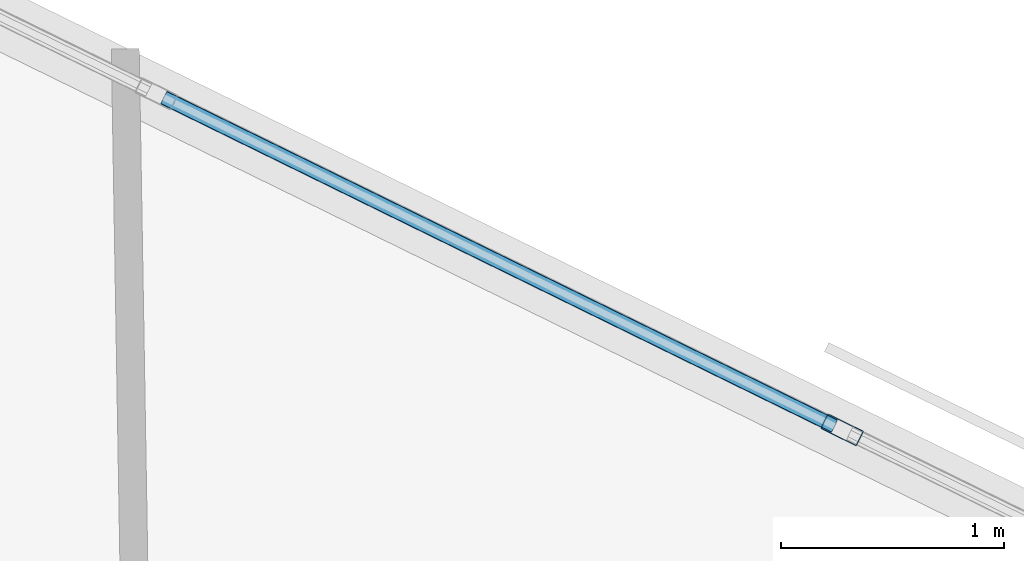
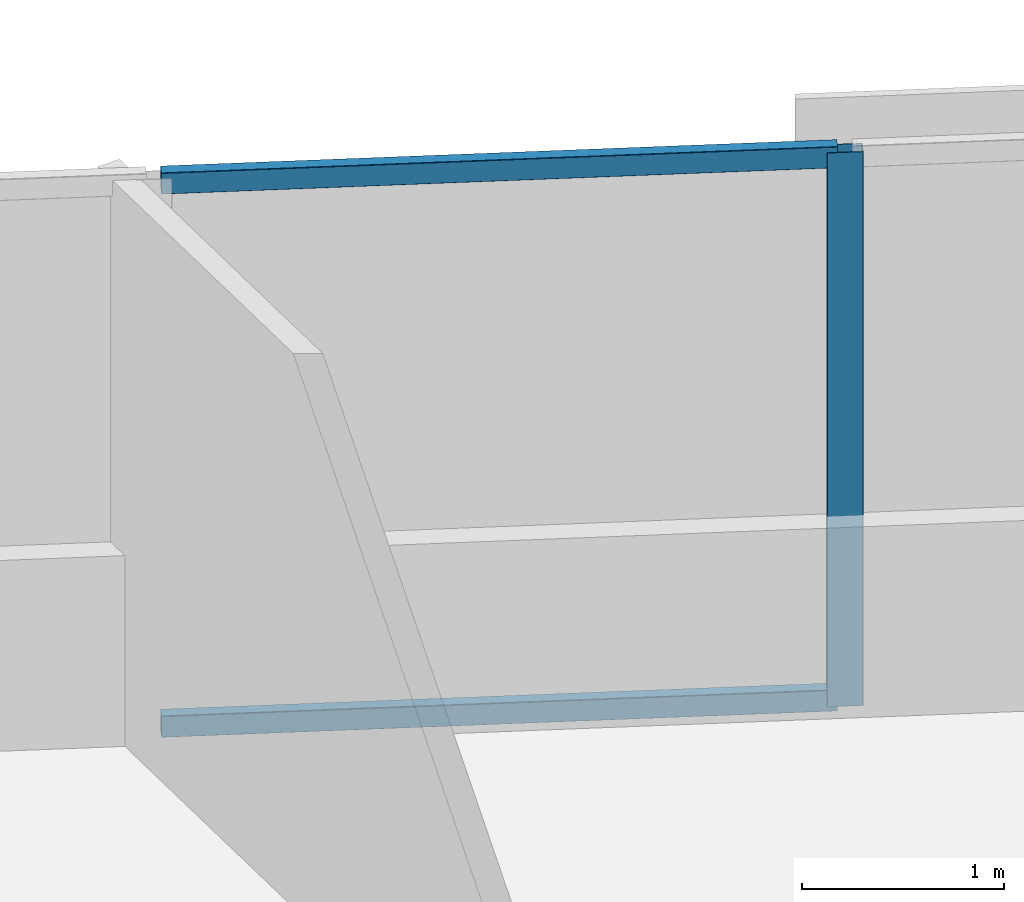
# One storey, part 11 of 18: 3 members, 1 element without a shape of its own.
"""IFC4 building model written with IfcOpenShell, lengths in metres."""

from ifc_helpers import new_model, si_unit, direction, frame, origin, origin_2d, place, context, subcontext, project, spatial, hollow_rectangle, extrude, material, material_profile, profile_set, type_object, element, aggregate, save


model = new_model("IFC4")

# Units and contexts
model_context = context("Model", 3, precision=1e-05, world=origin(), true_north=direction((0.0, 1.0)))
body_context = subcontext(model_context, "Body", "Model", "MODEL_VIEW")
ifc_project = project(units=[si_unit("LENGTHUNIT", "METRE"), si_unit("AREAUNIT", "SQUARE_METRE"), si_unit("VOLUMEUNIT", "CUBIC_METRE"), si_unit("PLANEANGLEUNIT", "RADIAN"), si_unit("MASSUNIT", "GRAM", prefix="KILO")], contexts=[model_context])

# Site, building, storey
site_placement = place(None, origin())
site = spatial("IfcSite", under=ifc_project, at=site_placement, CompositionType="ELEMENT")
building_placement = place(site_placement, origin())
building = spatial("IfcBuilding", under=site, at=building_placement, Name="Narakoshi Arena Tower", CompositionType="ELEMENT")
storey_placement = place(building_placement, frame((0.0, 0.0, 95.699951171875)))
storey = spatial("IfcBuildingStorey", under=building, at=storey_placement, Name="L25", CompositionType="ELEMENT", Elevation=95.699951171875)

# Curtain wall, members
ifc_material = material(Name="Anodised bronze aluminium 6063-T6", Category="aluminium")
curtain_wall_type = type_object("IfcCurtainWallType", Name="CW-HYP-LOW", PredefinedType="NOTDEFINED", material=ifc_material)
curtain_wall_placement = place(storey_placement, origin())
curtain_wall = element("IfcCurtainWall", 1, at=curtain_wall_placement, inside=storey, type_object=curtain_wall_type, Name="L25 Folded Hypotenuse Curtain Wall 2-1", PredefinedType="NOTDEFINED")
ifc_material_profile_1 = material_profile(ifc_material, hollow_rectangle(XDim=0.074951171875, YDim=0.179931640625, WallThickness=0.00390625, OuterFilletRadius=0.0048828125, at=origin_2d()), Name="MUL180x75x4")
ifc_profile_set_1 = profile_set([ifc_material_profile_1], Name="Anodised bronze aluminium 6063-T6")
member_type_1 = type_object("IfcMemberType", Name="MEM-MUL-180", PredefinedType="MULLION", material=ifc_profile_set_1)
member_1_placement = place(storey_placement, frame((81.486083984375, 65.51025390625, 0.0), z_axis=(0.0, 0.0, 1.0), x_axis=(-0.440004510198, -0.89799556291, 0.0)))
member_1 = element("IfcMember", 2, at=member_1_placement, type_object=member_type_1, Name="CW-01 mullion 3", PredefinedType="MULLION", context=body_context, shape_type="SweptSolid", body=[
    extrude(hollow_rectangle(XDim=0.074951171875, YDim=0.179931640625, WallThickness=0.00390625, OuterFilletRadius=0.0048828125, at=origin_2d()), origin(), (0.0, 0.0, 1.0), 3.340087890625),
])
ifc_material_profile_2 = material_profile(ifc_material, hollow_rectangle(XDim=0.06494140625, YDim=0.1298828125, WallThickness=0.00390625, OuterFilletRadius=0.0048828125, at=origin_2d()), Name="TRN130x65x4")
ifc_profile_set_2 = profile_set([ifc_material_profile_2], Name="Anodised bronze aluminium 6063-T6")
member_type_2 = type_object("IfcMemberType", Name="MEM-TRN-130", PredefinedType="USERDEFINED", material=ifc_profile_set_2)
member_2_placement = place(storey_placement, frame((81.452392578125, 65.52685546875, 0.032470703125), z_axis=(-0.898000963691, 0.439993487691, 0.0), x_axis=(-0.439993487691, -0.898000963691, 0.0)))
member_2 = element("IfcMember", 3, at=member_2_placement, type_object=member_type_2, Name="CW-01 transom 3.1", ObjectType="TRANSOM", PredefinedType="USERDEFINED", context=body_context, shape_type="SweptSolid", body=[
    extrude(hollow_rectangle(XDim=0.06494140625, YDim=0.1298828125, WallThickness=0.00390625, OuterFilletRadius=0.0048828125, at=origin_2d()), origin(), (0.0, 0.0, 1.0), 3.34765625),
])
member_3_placement = place(storey_placement, frame((81.452392578125, 65.52685546875, 3.3076171875), z_axis=(-0.898000963691, 0.439993487691, 0.0), x_axis=(-0.439993487691, -0.898000963691, 0.0)))
member_3 = element("IfcMember", 4, at=member_3_placement, type_object=member_type_2, Name="CW-01 transom 3.2", ObjectType="TRANSOM", PredefinedType="USERDEFINED", context=body_context, shape_type="SweptSolid", body=[
    extrude(hollow_rectangle(XDim=0.06494140625, YDim=0.1298828125, WallThickness=0.00390625, OuterFilletRadius=0.0048828125, at=origin_2d()), origin(), (0.0, 0.0, 1.0), 3.34765625),
])
aggregate(curtain_wall, [member_1, member_2, member_3])

save(model, "model.ifc")
